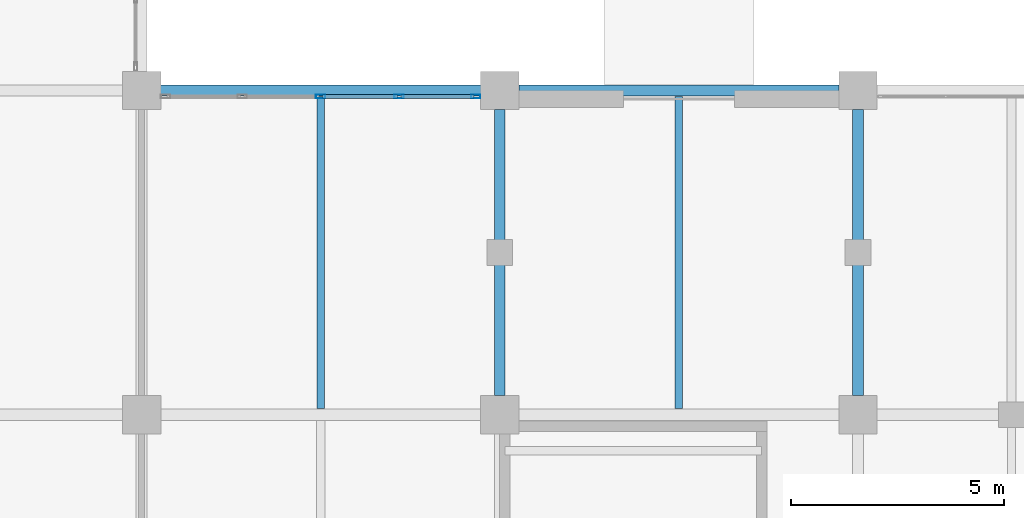
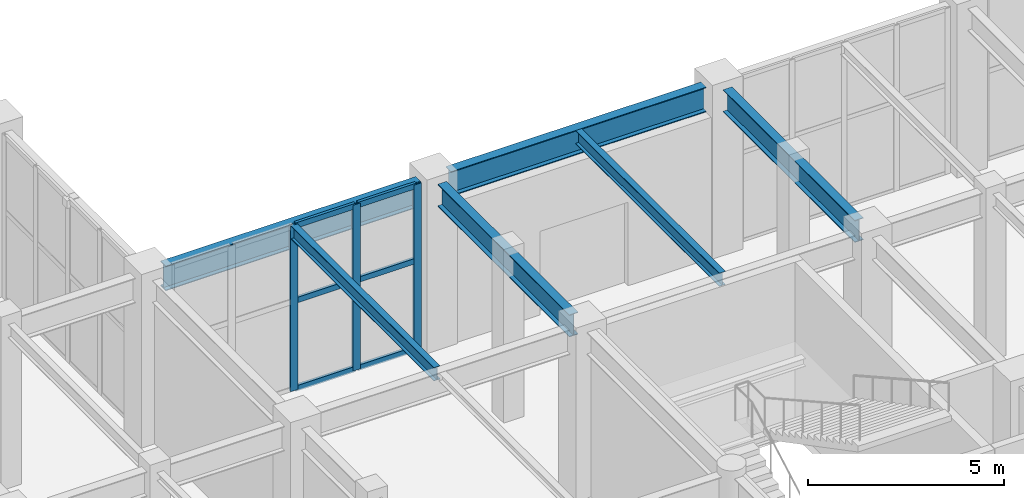
# One storey, part 71 of 139: 9 members, 6 beams, 1 element without a shape of its own.
"""IFC4 building model written with IfcOpenShell, lengths in metres."""

from ifc_helpers import new_model, si_unit, direction, frame, origin, origin_2d, place, context, subcontext, project, spatial, hollow_rectangle, i_section, extrude, material, layer, layer_set, material_profile, profile_set, type_object, element, aggregate, save


model = new_model("IFC4")

# Units and contexts
model_context = context("Model", 3, precision=1e-05, world=origin(), true_north=direction((0.0, 1.0)))
body_context = subcontext(model_context, "Body", "Model", "MODEL_VIEW")
ifc_project = project(units=[si_unit("LENGTHUNIT", "METRE"), si_unit("AREAUNIT", "SQUARE_METRE"), si_unit("VOLUMEUNIT", "CUBIC_METRE"), si_unit("PLANEANGLEUNIT", "RADIAN"), si_unit("MASSUNIT", "GRAM", prefix="KILO")], contexts=[model_context])

# Site, building, storey
site_placement = place(None, origin())
site = spatial("IfcSite", under=ifc_project, at=site_placement, CompositionType="ELEMENT")
building_placement = place(site_placement, origin())
building = spatial("IfcBuilding", under=site, at=building_placement, Name="Xicomal Pleat Aquarium", CompositionType="ELEMENT")
storey_placement = place(building_placement, origin())
storey = spatial("IfcBuildingStorey", under=building, at=storey_placement, Name="L01", CompositionType="ELEMENT", Elevation=0.0)

# Beams
ifc_material_1 = material(Name="Structural steel A992 Gr 50", Category="steel")
ifc_material_profile_1 = material_profile(ifc_material_1, i_section(OverallWidth=0.180908203125, OverallDepth=0.4169921875, WebThickness=0.010986328125, FlangeThickness=0.018310546875, at=origin_2d()), Name="IR 410x85")
ifc_profile_set_1 = profile_set([ifc_material_profile_1], Name="Structural steel A992 Gr 50")
beam_type_1 = type_object("IfcBeamType", Name="BM-STL-IR410", PredefinedType="JOIST", material=ifc_profile_set_1)
for number, where, z_axis, x_axis, name in (
    (1, (98.39990234375, 60.93701171875, 4.951416015625), (0.0, 1.0, 0.0), (-1.0, 0.0, 0.0), "L01 framing beam FBJ-L01-12-J-1"),
    (2, (106.800048828125, 60.93701171875, 4.951416015625), (0.0, 1.0, 0.0), (-1.0, 0.0, 0.0), "L01 framing beam FBJ-L01-13-J-1"),
):
    element("IfcBeam", number, at=place(storey_placement, frame(where, z_axis=z_axis, x_axis=x_axis)), inside=storey, type_object=beam_type_1, Name=name, PredefinedType="JOIST", context=body_context, shape_type="SweptSolid", body=[
        extrude(i_section(OverallWidth=0.180908203125, OverallDepth=0.4169921875, WebThickness=0.010986328125, FlangeThickness=0.018310546875, at=origin_2d()), origin(), (0.0, 0.0, 1.0), 7.325927734375),
    ])
ifc_material_2 = material(Name="Structural steel A992 Gr 50", Category="steel")
ifc_material_profile_2 = material_profile(ifc_material_2, i_section(OverallWidth=0.256103515625, OverallDepth=0.693115234375, WebThickness=0.014404296875, FlangeThickness=0.023681640625, at=origin_2d()), Name="IR 690x170")
ifc_profile_set_2 = profile_set([ifc_material_profile_2], Name="Structural steel A992 Gr 50")
beam_type_2 = type_object("IfcBeamType", Name="BM-STL-IR690", PredefinedType="BEAM", material=ifc_profile_set_2)
for number, where, z_axis, x_axis, name in (
    (3, (102.60009765625, 61.2451171875, 4.8134765625), (0.0, 1.0, 0.0), (-1.0, 0.0, 0.0), "L01 framing beam FGY-L01-13-J-K"),
    (4, (111.0, 61.2451171875, 4.8134765625), (0.0, 1.0, 0.0), (-1.0, 0.0, 0.0), "L01 framing beam FGY-L01-14-J-K"),
):
    element("IfcBeam", number, at=place(storey_placement, frame(where, z_axis=z_axis, x_axis=x_axis)), inside=storey, type_object=beam_type_2, Name=name, PredefinedType="BEAM", context=body_context, shape_type="SweptSolid", body=[
        extrude(i_section(OverallWidth=0.256103515625, OverallDepth=0.693115234375, WebThickness=0.014404296875, FlangeThickness=0.023681640625, at=origin_2d()), origin(), (0.0, 0.0, 1.0), 6.7099609375),
    ])
ifc_material_3 = material(Name="Structural steel A992 Gr 50", Category="steel")
ifc_material_profile_3 = material_profile(ifc_material_3, i_section(OverallWidth=0.26806640625, OverallDepth=0.77001953125, WebThickness=0.015625, FlangeThickness=0.025390625, at=origin_2d()), Name="IR 760x196")
ifc_profile_set_3 = profile_set([ifc_material_profile_3], Name="Structural steel A992 Gr 50")
beam_type_3 = type_object("IfcBeamType", Name="BM-STL-IR760", PredefinedType="BEAM", material=ifc_profile_set_3)
for number, where, z_axis, x_axis, name in (
    (5, (94.64501953125, 68.39990234375, 4.77490234375), (1.0, 0.0, 0.0), (0.0, 1.0, 0.0), "L01 framing beam FGX-L01-12-13-K"),
    (6, (103.044921875, 68.39990234375, 4.77490234375), (1.0, 0.0, 0.0), (0.0, 1.0, 0.0), "L01 framing beam FGX-L01-13-14-K"),
):
    element("IfcBeam", number, at=place(storey_placement, frame(where, z_axis=z_axis, x_axis=x_axis)), inside=storey, type_object=beam_type_3, Name=name, PredefinedType="BEAM", context=body_context, shape_type="SweptSolid", body=[
        extrude(i_section(OverallWidth=0.26806640625, OverallDepth=0.77001953125, WebThickness=0.015625, FlangeThickness=0.025390625, at=origin_2d()), origin(), (0.0, 0.0, 1.0), 7.510009765625),
    ])

# Curtain wall, members
ifc_material_4 = material(Name="Bronze anodized aluminium 6063-T6", Category="aluminium")
ifc_layer = layer(ifc_material_4, 0.159912109375)
ifc_layer_set = layer_set([ifc_layer], Name="Bronze anodized aluminium 6063-T6")
curtain_wall_type = type_object("IfcCurtainWallType", Name="CW-SYS-11", PredefinedType="NOTDEFINED", material=ifc_layer_set)
curtain_wall_placement = place(storey_placement, origin())
curtain_wall = element("IfcCurtainWall", 7, at=curtain_wall_placement, inside=storey, type_object=curtain_wall_type, Name="L01 unitised curtain wall CW-L01-041", PredefinedType="NOTDEFINED")
ifc_material_5 = material(Name="Bronze anodized aluminium 6063-T6", Category="aluminium")
ifc_material_profile_4 = material_profile(ifc_material_5, hollow_rectangle(XDim=0.0849609375, YDim=0.219970703125, WallThickness=0.0048828125, at=origin_2d()), Name="ALU MULL 85x220")
ifc_profile_set_4 = profile_set([ifc_material_profile_4], Name="Bronze anodized aluminium 6063-T6")
member_type_1 = type_object("IfcMemberType", Name="CWM-85x220", PredefinedType="MULLION", material=ifc_profile_set_4)
member_1_placement = place(storey_placement, frame((98.39990234375, 68.260009765625, 0.0), z_axis=(0.0, 0.0, 1.0), x_axis=(0.0, 1.0, 0.0)))
member_1 = element("IfcMember", 8, at=member_1_placement, type_object=member_type_1, Name="CW-11 mullion 3", PredefinedType="MULLION", context=body_context, shape_type="SweptSolid", body=[
    extrude(hollow_rectangle(XDim=0.0849609375, YDim=0.219970703125, WallThickness=0.0048828125, at=origin_2d()), origin(), (0.0, 0.0, 1.0), 5.159912109375),
])
member_2_placement = place(storey_placement, frame((100.239990234375, 68.260009765625, 0.0), z_axis=(0.0, 0.0, 1.0), x_axis=(0.0, 1.0, 0.0)))
member_2 = element("IfcMember", 9, at=member_2_placement, type_object=member_type_1, Name="CW-11 mullion 4", PredefinedType="MULLION", context=body_context, shape_type="SweptSolid", body=[
    extrude(hollow_rectangle(XDim=0.0849609375, YDim=0.219970703125, WallThickness=0.0048828125, at=origin_2d()), origin(), (0.0, 0.0, 1.0), 5.159912109375),
])
member_3_placement = place(storey_placement, frame((102.03759765625, 68.260009765625, 0.0), z_axis=(0.0, 0.0, 1.0), x_axis=(0.0, 1.0, 0.0)))
member_3 = element("IfcMember", 10, at=member_3_placement, type_object=member_type_1, Name="CW-11 mullion 5", PredefinedType="MULLION", context=body_context, shape_type="SweptSolid", body=[
    extrude(hollow_rectangle(XDim=0.0849609375, YDim=0.219970703125, WallThickness=0.0048828125, at=origin_2d()), origin(), (0.0, 0.0, 1.0), 5.159912109375),
])
ifc_material_6 = material(Name="Bronze anodized aluminium 6063-T6", Category="aluminium")
ifc_material_profile_5 = material_profile(ifc_material_6, hollow_rectangle(XDim=0.0849609375, YDim=0.169921875, WallThickness=0.0048828125, at=origin_2d()), Name="ALU TRAN 85x170")
ifc_profile_set_5 = profile_set([ifc_material_profile_5], Name="Bronze anodized aluminium 6063-T6")
member_type_2 = type_object("IfcMemberType", Name="CWT-85x170", PredefinedType="USERDEFINED", material=ifc_profile_set_5)
member_4_placement = place(storey_placement, frame((98.4423828125, 68.260009765625, 0.04248046875), z_axis=(1.0, 0.0, 0.0), x_axis=(0.0, 1.0, 0.0)))
member_4 = element("IfcMember", 11, at=member_4_placement, type_object=member_type_2, Name="CW-11 transom 3.1", ObjectType="TRANSOM", PredefinedType="USERDEFINED", context=body_context, shape_type="SweptSolid", body=[
    extrude(hollow_rectangle(XDim=0.0849609375, YDim=0.169921875, WallThickness=0.0048828125, at=origin_2d()), origin(), (0.0, 0.0, 1.0), 1.755126953125),
])
member_5_placement = place(storey_placement, frame((98.4423828125, 68.260009765625, 2.785888671875), z_axis=(1.0, 0.0, 0.0), x_axis=(0.0, 1.0, 0.0)))
member_5 = element("IfcMember", 12, at=member_5_placement, type_object=member_type_2, Name="CW-11 transom 3.2", ObjectType="TRANSOM", PredefinedType="USERDEFINED", context=body_context, shape_type="SweptSolid", body=[
    extrude(hollow_rectangle(XDim=0.0849609375, YDim=0.169921875, WallThickness=0.0048828125, at=origin_2d()), origin(), (0.0, 0.0, 1.0), 1.755126953125),
])
member_6_placement = place(storey_placement, frame((98.4423828125, 68.260009765625, 5.117431640625), z_axis=(1.0, 0.0, 0.0), x_axis=(0.0, 1.0, 0.0)))
member_6 = element("IfcMember", 13, at=member_6_placement, type_object=member_type_2, Name="CW-11 transom 3.3", ObjectType="TRANSOM", PredefinedType="USERDEFINED", context=body_context, shape_type="SweptSolid", body=[
    extrude(hollow_rectangle(XDim=0.0849609375, YDim=0.169921875, WallThickness=0.0048828125, at=origin_2d()), origin(), (0.0, 0.0, 1.0), 1.755126953125),
])
member_7_placement = place(storey_placement, frame((100.282470703125, 68.260009765625, 0.04248046875), z_axis=(1.0, 0.0, 0.0), x_axis=(0.0, 1.0, 0.0)))
member_7 = element("IfcMember", 14, at=member_7_placement, type_object=member_type_2, Name="CW-11 transom 4.1", ObjectType="TRANSOM", PredefinedType="USERDEFINED", context=body_context, shape_type="SweptSolid", body=[
    extrude(hollow_rectangle(XDim=0.0849609375, YDim=0.169921875, WallThickness=0.0048828125, at=origin_2d()), origin(), (0.0, 0.0, 1.0), 1.712646484375),
])
member_8_placement = place(storey_placement, frame((100.282470703125, 68.260009765625, 2.785888671875), z_axis=(1.0, 0.0, 0.0), x_axis=(0.0, 1.0, 0.0)))
member_8 = element("IfcMember", 15, at=member_8_placement, type_object=member_type_2, Name="CW-11 transom 4.2", ObjectType="TRANSOM", PredefinedType="USERDEFINED", context=body_context, shape_type="SweptSolid", body=[
    extrude(hollow_rectangle(XDim=0.0849609375, YDim=0.169921875, WallThickness=0.0048828125, at=origin_2d()), origin(), (0.0, 0.0, 1.0), 1.712646484375),
])
member_9_placement = place(storey_placement, frame((100.282470703125, 68.260009765625, 5.117431640625), z_axis=(1.0, 0.0, 0.0), x_axis=(0.0, 1.0, 0.0)))
member_9 = element("IfcMember", 16, at=member_9_placement, type_object=member_type_2, Name="CW-11 transom 4.3", ObjectType="TRANSOM", PredefinedType="USERDEFINED", context=body_context, shape_type="SweptSolid", body=[
    extrude(hollow_rectangle(XDim=0.0849609375, YDim=0.169921875, WallThickness=0.0048828125, at=origin_2d()), origin(), (0.0, 0.0, 1.0), 1.712646484375),
])
aggregate(curtain_wall, [member_1, member_2, member_3, member_4, member_5, member_6, member_7, member_8, member_9])

save(model, "model.ifc")
